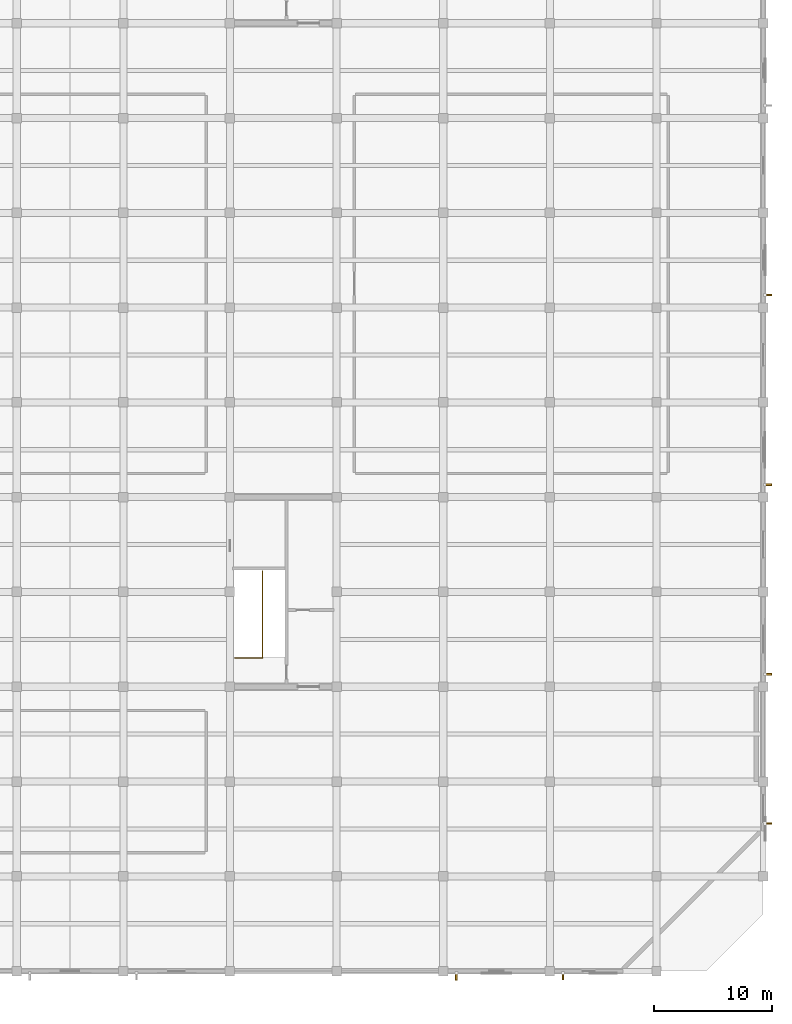
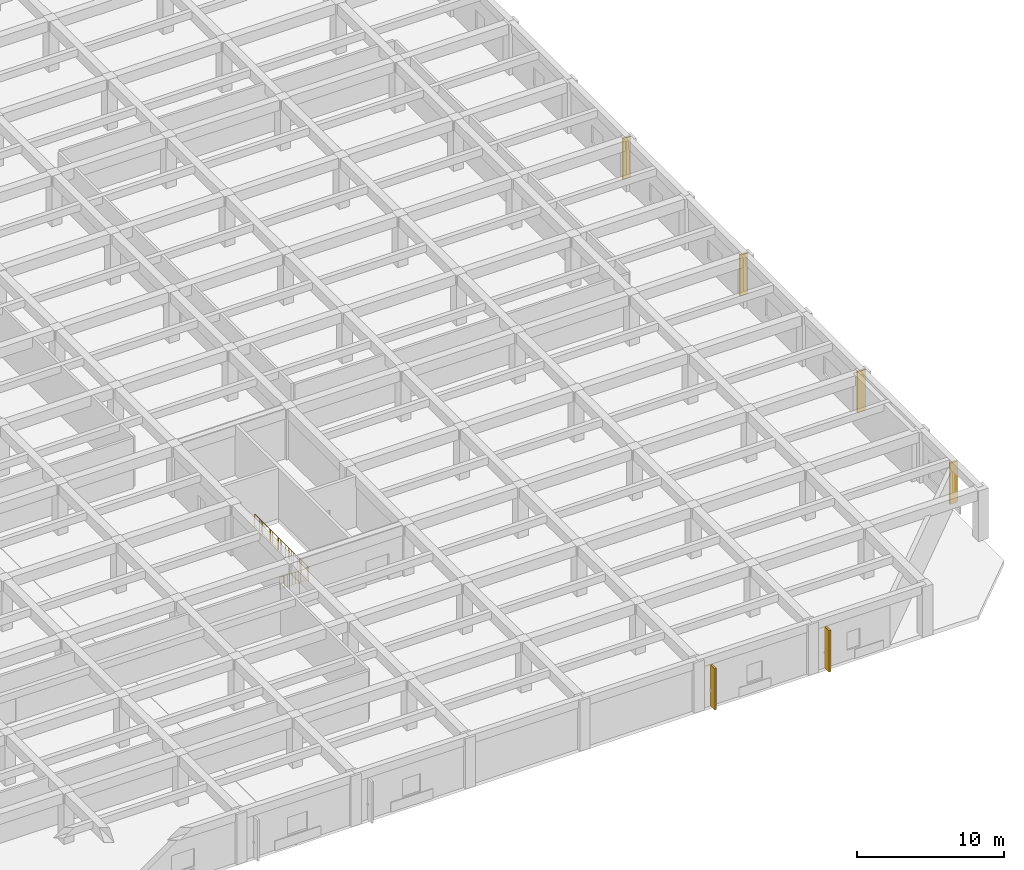
# One storey, part 31 of 32: 6 shading devices, 1 railing.
"""IFC4 building model written with IfcOpenShell, lengths in metres."""

from ifc_helpers import new_model, si_unit, direction, frame, frame_2d, origin, origin_2d, place, context, subcontext, project, spatial, rectangle, circle, extrude, material, layer, layer_set, type_object, element, save


model = new_model("IFC4")

# Units and contexts
model_context = context("Model", 3, precision=1e-05, world=origin(), true_north=direction((0.0, 1.0)))
body_context = subcontext(model_context, "Body", "Model", "MODEL_VIEW")
ifc_project = project(units=[si_unit("LENGTHUNIT", "METRE"), si_unit("AREAUNIT", "SQUARE_METRE"), si_unit("VOLUMEUNIT", "CUBIC_METRE"), si_unit("PLANEANGLEUNIT", "RADIAN"), si_unit("MASSUNIT", "GRAM", prefix="KILO")], contexts=[model_context])

# Site, building, storey
site_placement = place(None, origin())
site = spatial("IfcSite", under=ifc_project, at=site_placement, CompositionType="ELEMENT")
building_placement = place(site_placement, origin())
building = spatial("IfcBuilding", under=site, at=building_placement, Name="Zaverband Oceanarium and Marine Research Institute", CompositionType="ELEMENT")
storey_placement = place(building_placement, frame((0.0, 0.0, 13.5)))
storey = spatial("IfcBuildingStorey", under=building, at=storey_placement, Name="L03", CompositionType="ELEMENT", Elevation=13.5)

# Railing
ifc_material_1 = material(Name="Steel S355", Category="steel")
ifc_layer_1 = layer(ifc_material_1, 0.06005859375, Name="Steel S355")
ifc_layer_set_1 = layer_set([ifc_layer_1], Name="Steel S355")
railing_type = type_object("IfcRailingType", Name="GRD-1100", PredefinedType="BALUSTRADE", material=ifc_layer_set_1)
railing_placement = place(storey_placement, frame((135.429931640625, 26.429931640625, 0.0)))
element("IfcRailing", 1, at=railing_placement, inside=storey, type_object=railing_type, Name="1100 mm steel post-and-baluster safety guard GRD-1100", PredefinedType="BALUSTRADE", context=body_context, shape_type="SweptSolid", body=[
    extrude(circle(Radius=0.02392578125, at=origin_2d()), frame((0.0, 0.0, 1.076171875), z_axis=(1.0, 0.0, 0.0), x_axis=(0.0, 1.0, 0.0)), (0.0, 0.0, 1.0), 2.320068359375),
    extrude(circle(Radius=0.009033203125, at=origin_2d()), frame((0.0, 0.0, 0.10009765625), z_axis=(1.0, 0.0, 0.0), x_axis=(0.0, 1.0, 0.0)), (0.0, 0.0, 1.0), 2.320068359375),
    extrude(circle(Radius=0.009033203125, at=origin_2d()), frame((0.2109375, 0.0, 0.10009765625)), (0.0, 0.0, 1.0), 0.951904296875),
    extrude(circle(Radius=0.009033203125, at=origin_2d()), frame((0.421875, 0.0, 0.10009765625)), (0.0, 0.0, 1.0), 0.951904296875),
    extrude(circle(Radius=0.009033203125, at=origin_2d()), frame((0.6328125, 0.0, 0.10009765625)), (0.0, 0.0, 1.0), 0.951904296875),
    extrude(circle(Radius=0.009033203125, at=origin_2d()), frame((0.84375, 0.0, 0.10009765625)), (0.0, 0.0, 1.0), 0.951904296875),
    extrude(circle(Radius=0.009033203125, at=origin_2d()), frame((1.0546875, 0.0, 0.10009765625)), (0.0, 0.0, 1.0), 0.951904296875),
    extrude(circle(Radius=0.009033203125, at=origin_2d()), frame((1.265380859375, 0.0, 0.10009765625)), (0.0, 0.0, 1.0), 0.951904296875),
    extrude(circle(Radius=0.009033203125, at=origin_2d()), frame((1.476318359375, 0.0, 0.10009765625)), (0.0, 0.0, 1.0), 0.951904296875),
    extrude(circle(Radius=0.009033203125, at=origin_2d()), frame((1.687255859375, 0.0, 0.10009765625)), (0.0, 0.0, 1.0), 0.951904296875),
    extrude(circle(Radius=0.009033203125, at=origin_2d()), frame((1.898193359375, 0.0, 0.10009765625)), (0.0, 0.0, 1.0), 0.951904296875),
    extrude(circle(Radius=0.009033203125, at=origin_2d()), frame((2.109130859375, 0.0, 0.10009765625)), (0.0, 0.0, 1.0), 0.951904296875),
    extrude(circle(Radius=0.02392578125, at=origin_2d()), frame((2.320068359375, 0.0, 1.076171875), z_axis=(0.0, 1.0, 0.0), x_axis=(-1.0, 0.0, 0.0)), (0.0, 0.0, 1.0), 7.340087890625),
    extrude(circle(Radius=0.009033203125, at=origin_2d()), frame((2.320068359375, 0.0, 0.10009765625), z_axis=(0.0, 1.0, 0.0), x_axis=(-1.0, 0.0, 0.0)), (0.0, 0.0, 1.0), 7.340087890625),
    extrude(circle(Radius=0.009033203125, at=origin_2d()), frame((2.320068359375, 0.2158203125, 0.10009765625)), (0.0, 0.0, 1.0), 0.951904296875),
    extrude(circle(Radius=0.009033203125, at=origin_2d()), frame((2.320068359375, 0.431884765625, 0.10009765625)), (0.0, 0.0, 1.0), 0.951904296875),
    extrude(circle(Radius=0.009033203125, at=origin_2d()), frame((2.320068359375, 0.647705078125, 0.10009765625)), (0.0, 0.0, 1.0), 0.951904296875),
    extrude(circle(Radius=0.009033203125, at=origin_2d()), frame((2.320068359375, 0.863525390625, 0.10009765625)), (0.0, 0.0, 1.0), 0.951904296875),
    extrude(circle(Radius=0.009033203125, at=origin_2d()), frame((2.320068359375, 1.079345703125, 0.10009765625)), (0.0, 0.0, 1.0), 0.951904296875),
    extrude(circle(Radius=0.009033203125, at=origin_2d()), frame((2.320068359375, 1.29541015625, 0.10009765625)), (0.0, 0.0, 1.0), 0.951904296875),
    extrude(circle(Radius=0.009033203125, at=origin_2d()), frame((2.320068359375, 1.51123046875, 0.10009765625)), (0.0, 0.0, 1.0), 0.951904296875),
    extrude(circle(Radius=0.009033203125, at=origin_2d()), frame((2.320068359375, 1.72705078125, 0.10009765625)), (0.0, 0.0, 1.0), 0.951904296875),
    extrude(circle(Radius=0.009033203125, at=origin_2d()), frame((2.320068359375, 1.94287109375, 0.10009765625)), (0.0, 0.0, 1.0), 0.951904296875),
    extrude(circle(Radius=0.009033203125, at=origin_2d()), frame((2.320068359375, 2.158935546875, 0.10009765625)), (0.0, 0.0, 1.0), 0.951904296875),
    extrude(circle(Radius=0.009033203125, at=origin_2d()), frame((2.320068359375, 2.374755859375, 0.10009765625)), (0.0, 0.0, 1.0), 0.951904296875),
    extrude(circle(Radius=0.009033203125, at=origin_2d()), frame((2.320068359375, 2.590576171875, 0.10009765625)), (0.0, 0.0, 1.0), 0.951904296875),
    extrude(circle(Radius=0.009033203125, at=origin_2d()), frame((2.320068359375, 2.806396484375, 0.10009765625)), (0.0, 0.0, 1.0), 0.951904296875),
    extrude(circle(Radius=0.009033203125, at=origin_2d()), frame((2.320068359375, 3.0224609375, 0.10009765625)), (0.0, 0.0, 1.0), 0.951904296875),
    extrude(circle(Radius=0.009033203125, at=origin_2d()), frame((2.320068359375, 3.23828125, 0.10009765625)), (0.0, 0.0, 1.0), 0.951904296875),
    extrude(circle(Radius=0.009033203125, at=origin_2d()), frame((2.320068359375, 3.4541015625, 0.10009765625)), (0.0, 0.0, 1.0), 0.951904296875),
    extrude(circle(Radius=0.009033203125, at=origin_2d()), frame((2.320068359375, 3.669921875, 0.10009765625)), (0.0, 0.0, 1.0), 0.951904296875),
    extrude(circle(Radius=0.009033203125, at=origin_2d()), frame((2.320068359375, 3.885986328125, 0.10009765625)), (0.0, 0.0, 1.0), 0.951904296875),
    extrude(circle(Radius=0.009033203125, at=origin_2d()), frame((2.320068359375, 4.101806640625, 0.10009765625)), (0.0, 0.0, 1.0), 0.951904296875),
    extrude(circle(Radius=0.009033203125, at=origin_2d()), frame((2.320068359375, 4.317626953125, 0.10009765625)), (0.0, 0.0, 1.0), 0.951904296875),
    extrude(circle(Radius=0.009033203125, at=origin_2d()), frame((2.320068359375, 4.53369140625, 0.10009765625)), (0.0, 0.0, 1.0), 0.951904296875),
    extrude(circle(Radius=0.009033203125, at=origin_2d()), frame((2.320068359375, 4.74951171875, 0.10009765625)), (0.0, 0.0, 1.0), 0.951904296875),
    extrude(circle(Radius=0.009033203125, at=origin_2d()), frame((2.320068359375, 4.96533203125, 0.10009765625)), (0.0, 0.0, 1.0), 0.951904296875),
    extrude(circle(Radius=0.009033203125, at=origin_2d()), frame((2.320068359375, 5.18115234375, 0.10009765625)), (0.0, 0.0, 1.0), 0.951904296875),
    extrude(circle(Radius=0.009033203125, at=origin_2d()), frame((2.320068359375, 5.397216796875, 0.10009765625)), (0.0, 0.0, 1.0), 0.951904296875),
    extrude(circle(Radius=0.009033203125, at=origin_2d()), frame((2.320068359375, 5.613037109375, 0.10009765625)), (0.0, 0.0, 1.0), 0.951904296875),
    extrude(circle(Radius=0.009033203125, at=origin_2d()), frame((2.320068359375, 5.828857421875, 0.10009765625)), (0.0, 0.0, 1.0), 0.951904296875),
    extrude(circle(Radius=0.009033203125, at=origin_2d()), frame((2.320068359375, 6.044677734375, 0.10009765625)), (0.0, 0.0, 1.0), 0.951904296875),
    extrude(circle(Radius=0.009033203125, at=origin_2d()), frame((2.320068359375, 6.2607421875, 0.10009765625)), (0.0, 0.0, 1.0), 0.951904296875),
    extrude(circle(Radius=0.009033203125, at=origin_2d()), frame((2.320068359375, 6.4765625, 0.10009765625)), (0.0, 0.0, 1.0), 0.951904296875),
    extrude(circle(Radius=0.009033203125, at=origin_2d()), frame((2.320068359375, 6.6923828125, 0.10009765625)), (0.0, 0.0, 1.0), 0.951904296875),
    extrude(circle(Radius=0.009033203125, at=origin_2d()), frame((2.320068359375, 6.908203125, 0.10009765625)), (0.0, 0.0, 1.0), 0.951904296875),
    extrude(circle(Radius=0.009033203125, at=origin_2d()), frame((2.320068359375, 7.124267578125, 0.10009765625)), (0.0, 0.0, 1.0), 0.951904296875),
    extrude(circle(Radius=0.02099609375, at=origin_2d()), origin(), (0.0, 0.0, 1.0), 1.052001953125),
    extrude(circle(Radius=0.02099609375, at=origin_2d()), frame((0.7734375, 0.0, 0.0)), (0.0, 0.0, 1.0), 1.052001953125),
    extrude(circle(Radius=0.02099609375, at=origin_2d()), frame((1.546630859375, 0.0, 0.0)), (0.0, 0.0, 1.0), 1.052001953125),
    extrude(circle(Radius=0.02099609375, at=origin_2d()), frame((2.320068359375, 0.0, 0.0)), (0.0, 0.0, 1.0), 1.052001953125),
    extrude(circle(Radius=0.02099609375, at=origin_2d()), frame((2.320068359375, 1.048583984375, 0.0)), (0.0, 0.0, 1.0), 1.052001953125),
    extrude(circle(Radius=0.02099609375, at=origin_2d()), frame((2.320068359375, 2.09716796875, 0.0)), (0.0, 0.0, 1.0), 1.052001953125),
    extrude(circle(Radius=0.02099609375, at=origin_2d()), frame((2.320068359375, 3.145751953125, 0.0)), (0.0, 0.0, 1.0), 1.052001953125),
    extrude(circle(Radius=0.02099609375, at=origin_2d()), frame((2.320068359375, 4.1943359375, 0.0)), (0.0, 0.0, 1.0), 1.052001953125),
    extrude(circle(Radius=0.02099609375, at=origin_2d()), frame((2.320068359375, 5.242919921875, 0.0)), (0.0, 0.0, 1.0), 1.052001953125),
    extrude(circle(Radius=0.02099609375, at=origin_2d()), frame((2.320068359375, 6.29150390625, 0.0)), (0.0, 0.0, 1.0), 1.052001953125),
    extrude(circle(Radius=0.02099609375, at=origin_2d()), frame((2.320068359375, 7.340087890625, 0.0)), (0.0, 0.0, 1.0), 1.052001953125),
])

# Shading devices
ifc_material_2 = material(Name="Concrete C40/50 precast brise-soleil", Category="concrete")
ifc_layer_2 = layer(ifc_material_2, 0.139892578125, Name="Concrete C40/50 precast brise-soleil")
ifc_layer_set_2 = layer_set([ifc_layer_2], Name="Concrete C40/50 precast brise-soleil")
shading_device_type = type_object("IfcShadingDeviceType", Name="SHD-FIN-600", PredefinedType="JALOUSIE", material=ifc_layer_set_2)
for number, where, z_axis, x_axis, name in (
    (2, (154.10498046875, -0.14990234375, 0.0), (0.0, 0.0, 1.0), (0.0, -1.0, 0.0), "600 mm vertical precast brise-soleil fin SHD-FIN-600"),
    (3, (163.10498046875, -0.135009765625, 0.0), (0.0, 0.0, 1.0), (0.0, -1.0, 0.0), "600 mm vertical precast brise-soleil fin SHD-FIN-600"),
    (4, (180.125, 12.469970703125, 0.0), (0.0, 0.0, 1.0), (1.0, 0.0, 0.0), "600 mm vertical precast brise-soleil fin SHD-FIN-600"),
    (5, (180.135009765625, 25.054931640625, 0.0), (0.0, 0.0, 1.0), (1.0, 0.0, 0.0), "600 mm vertical precast brise-soleil fin SHD-FIN-600"),
):
    element("IfcShadingDevice", number, at=place(storey_placement, frame(where, z_axis=z_axis, x_axis=x_axis)), inside=storey, type_object=shading_device_type, Name=name, PredefinedType="JALOUSIE", context=body_context, shape_type="SweptSolid", body=[
        extrude(rectangle(XDim=0.60009765625, YDim=0.139892578125, at=frame_2d((0.300048828125, 0.0))), origin(), (0.0, 0.0, 1.0), 3.429931640625),
    ])
shading_device_1_placement = place(storey_placement, frame((180.112548828125, 41.054931640625, 0.0), z_axis=(0.0, 0.0, 1.0), x_axis=(1.0, 0.0, 0.0)))
element("IfcShadingDevice", 6, at=shading_device_1_placement, inside=storey, type_object=shading_device_type, Name="600 mm vertical precast brise-soleil fin SHD-FIN-600", PredefinedType="JALOUSIE", context=body_context, shape_type="SweptSolid", body=[
    extrude(rectangle(XDim=0.599853515625, YDim=0.139892578125, at=frame_2d((0.2998046875, 0.0))), origin(), (0.0, 0.0, 1.0), 3.429931640625),
])
shading_device_2_placement = place(storey_placement, frame((180.125, 57.054931640625, 0.0), z_axis=(0.0, 0.0, 1.0), x_axis=(1.0, 0.0, 0.0)))
element("IfcShadingDevice", 7, at=shading_device_2_placement, inside=storey, type_object=shading_device_type, Name="600 mm vertical precast brise-soleil fin SHD-FIN-600", PredefinedType="JALOUSIE", context=body_context, shape_type="SweptSolid", body=[
    extrude(rectangle(XDim=0.60009765625, YDim=0.139892578125, at=frame_2d((0.300048828125, 0.0))), origin(), (0.0, 0.0, 1.0), 3.429931640625),
])

save(model, "model.ifc")
